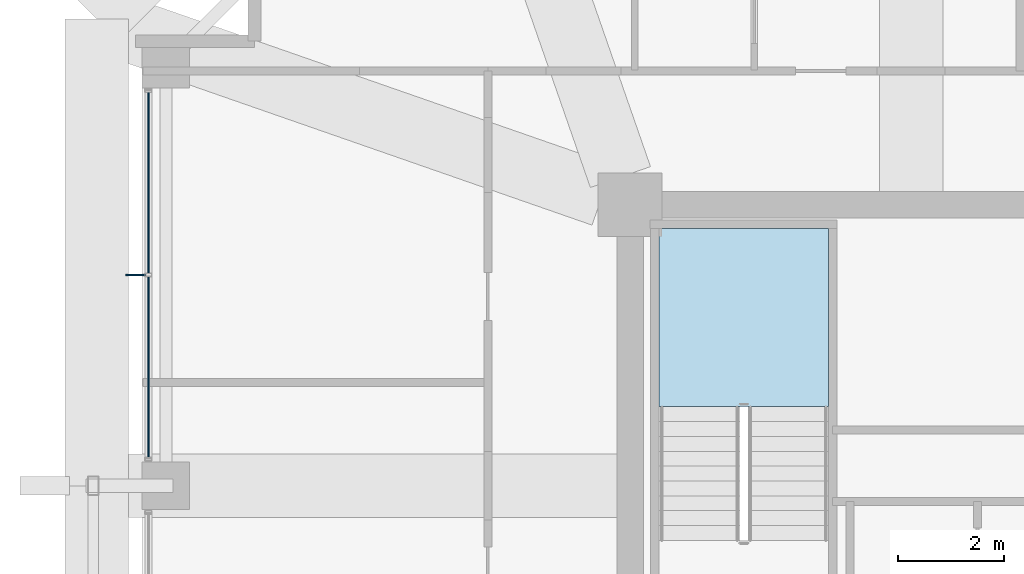
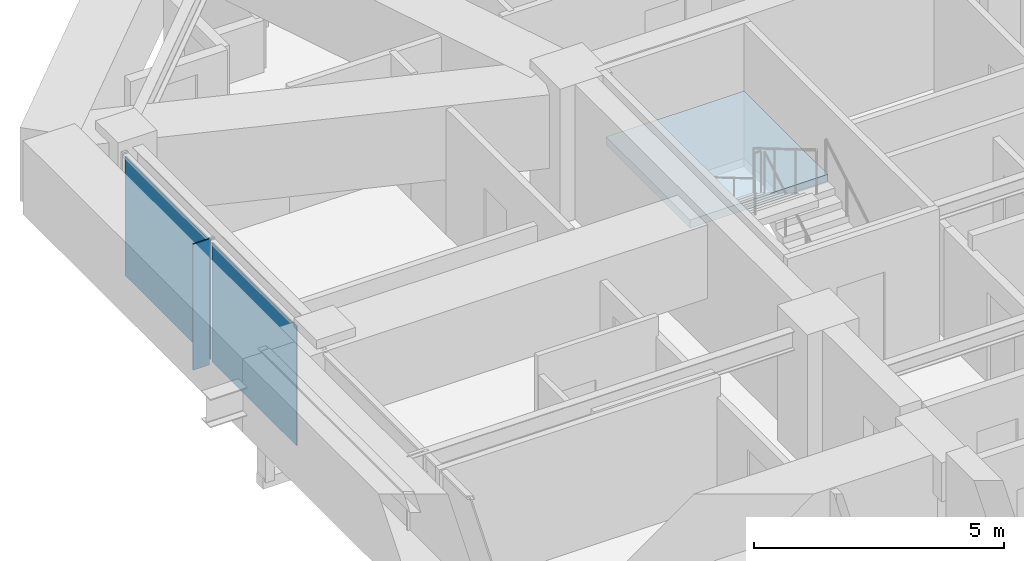
# One storey, part 30 of 40: 3 plates, 1 slab, 2 elements without a shape of their own.
"""IFC4 building model written with IfcOpenShell, lengths in metres."""

from ifc_helpers import new_model, si_unit, direction, frame, origin, origin_2d, place, context, subcontext, project, spatial, polyline, rectangle, outline, extrude, material, layer, layer_set, type_object, element, aggregate, save


model = new_model("IFC4")

# Units and contexts
model_context = context("Model", 3, precision=1e-05, world=origin(), true_north=direction((0.0, 1.0)))
body_context = subcontext(model_context, "Body", "Model", "MODEL_VIEW")
ifc_project = project(units=[si_unit("LENGTHUNIT", "METRE"), si_unit("AREAUNIT", "SQUARE_METRE"), si_unit("VOLUMEUNIT", "CUBIC_METRE"), si_unit("PLANEANGLEUNIT", "RADIAN"), si_unit("MASSUNIT", "GRAM", prefix="KILO")], contexts=[model_context])

# Site, building, storey
site_placement = place(None, origin())
site = spatial("IfcSite", under=ifc_project, at=site_placement, CompositionType="ELEMENT")
building_placement = place(site_placement, origin())
building = spatial("IfcBuilding", under=site, at=building_placement, Name="Kolvaren Belvedere", CompositionType="ELEMENT")
storey_placement = place(building_placement, frame((0.0, 0.0, 170.10009765625)))
storey = spatial("IfcBuildingStorey", under=building, at=storey_placement, Name="L49", CompositionType="ELEMENT", Elevation=170.10009765625)

# Curtain wall, plates
ifc_material_1 = material(Name="Anodised pale-metal aluminium AA 6063-T6", Category="aluminium")
curtain_wall_type = type_object("IfcCurtainWallType", Name="CW-Z3-WAIST", PredefinedType="NOTDEFINED", material=ifc_material_1)
curtain_wall_placement = place(storey_placement, origin())
curtain_wall = element("IfcCurtainWall", 1, at=curtain_wall_placement, inside=storey, type_object=curtain_wall_type, Name="L49 Unitised Curtain Wall FCW-L49-W-B3", PredefinedType="NOTDEFINED")
ifc_material_2 = material(Name="Low-iron triple insulated glass", Category="glass")
ifc_layer_1 = layer(ifc_material_2, 0.028076171875)
ifc_layer_set_1 = layer_set([ifc_layer_1], Name="Low-iron triple insulated glass")
plate_type_1 = type_object("IfcPlateType", Name="CW-PNL-VIS28", PredefinedType="CURTAIN_PANEL", material=ifc_layer_set_1)
plate_1_placement = place(storey_placement, frame((-18.97998046875, 6.8388671875, 0.079833984375), z_axis=(0.0, 0.0, 1.0), x_axis=(0.0, 1.0, 0.0)))
plate_1 = element("IfcPlate", 2, at=plate_1_placement, type_object=plate_type_1, Name="FCW-L49-W-B3 Vision Glazing Panel 1", PredefinedType="CURTAIN_PANEL", context=body_context, shape_type="SweptSolid", body=[
    extrude(rectangle(XDim=3.392578125, YDim=0.028076171875, at=origin_2d()), origin(), (0.0, 0.0, 1.0), 2.919921875),
])
plate_2_placement = place(storey_placement, frame((-18.97998046875, 10.311279296875, 0.079833984375), z_axis=(0.0, 0.0, 1.0), x_axis=(0.0, 1.0, 0.0)))
plate_2 = element("IfcPlate", 3, at=plate_2_placement, type_object=plate_type_1, Name="FCW-L49-W-B3 Vision Glazing Panel 2", PredefinedType="CURTAIN_PANEL", context=body_context, shape_type="SweptSolid", body=[
    extrude(rectangle(XDim=3.392578125, YDim=0.028076171875, at=origin_2d()), origin(), (0.0, 0.0, 1.0), 2.919921875),
])
aggregate(curtain_wall, [plate_1, plate_2])

# Plate
ifc_material_3 = material(Name="Anodised pale-metal aluminium AA 6063-T6", Category="aluminium")
ifc_layer_2 = layer(ifc_material_3, 0.033935546875)
ifc_layer_set_2 = layer_set([ifc_layer_2], Name="Anodised pale-metal aluminium AA 6063-T6")
plate_type_2 = type_object("IfcPlateType", Name="FIN-VERT-380", PredefinedType="USERDEFINED", material=ifc_layer_set_2)
plate_3_placement = place(storey_placement, frame((-19.219970703125, 8.574951171875, -0.000244140625), z_axis=(0.0, 0.0, 1.0), x_axis=(1.0, 0.0, 0.0)))
element("IfcPlate", 4, at=plate_3_placement, inside=storey, type_object=plate_type_2, Name="L49 Pale-Metal Vertical Shading Fin FCW-L49-W-B3-1", ObjectType="VERTICAL FIN", PredefinedType="USERDEFINED", context=body_context, shape_type="SweptSolid", body=[
    extrude(rectangle(XDim=0.3798828125, YDim=0.033935546875, at=origin_2d()), origin(), (0.0, 0.0, 1.0), 3.080078125),
])

# Stair, slab
ifc_material_4 = material(Name="Concrete C50/60", Category="concrete")
stair_type = type_object("IfcStairType", Name="ST-CORE-1520", PredefinedType="HALF_TURN_STAIR", material=ifc_material_4)
stair_placement = place(storey_placement, origin())
stair = element("IfcStair", 5, at=stair_placement, inside=storey, type_object=stair_type, Name="L49 Protected Exit Stair ST-1", PredefinedType="HALF_TURN_STAIR")
ifc_material_5 = material(Name="Concrete C50/60", Category="concrete")
ifc_layer_3 = layer(ifc_material_5, 0.260009765625)
ifc_layer_set_3 = layer_set([ifc_layer_3], Name="Concrete C50/60")
slab_type = type_object("IfcSlabType", Name="SL-LAND-260", PredefinedType="LANDING", material=ifc_layer_set_3)
slab_placement = place(storey_placement, frame((0.0, 0.0, 1.449951171875)))
slab = element("IfcSlab", 6, at=slab_placement, type_object=slab_type, Name="ST-1 landing 1", PredefinedType="LANDING", context=body_context, shape_type="SweptSolid", body=[
    extrude(outline(polyline([(-6.159912109375, 6.090087890625), (-6.159912109375, 9.449951171875), (-9.35009765625, 9.449951171875), (-9.35009765625, 6.090087890625), (-6.159912109375, 6.090087890625)])), origin(), (0.0, 0.0, 1.0), 0.199951171875),
])
aggregate(stair, [slab])

save(model, "model.ifc")
